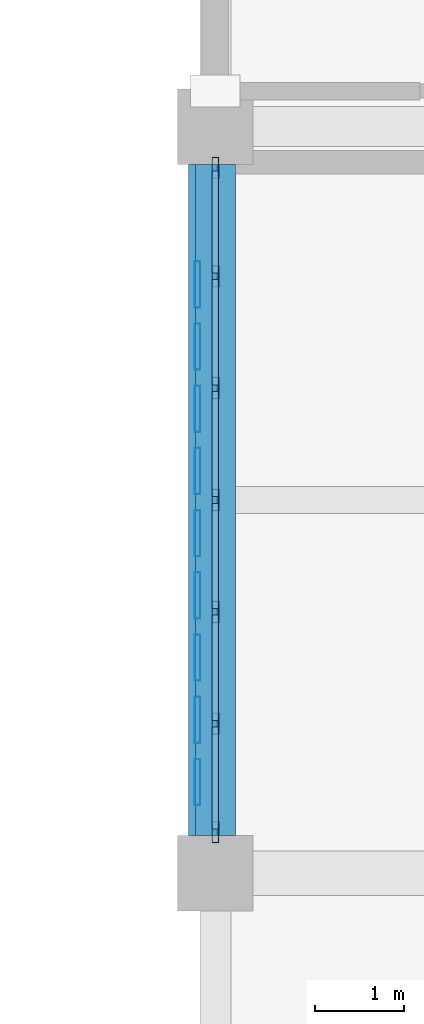
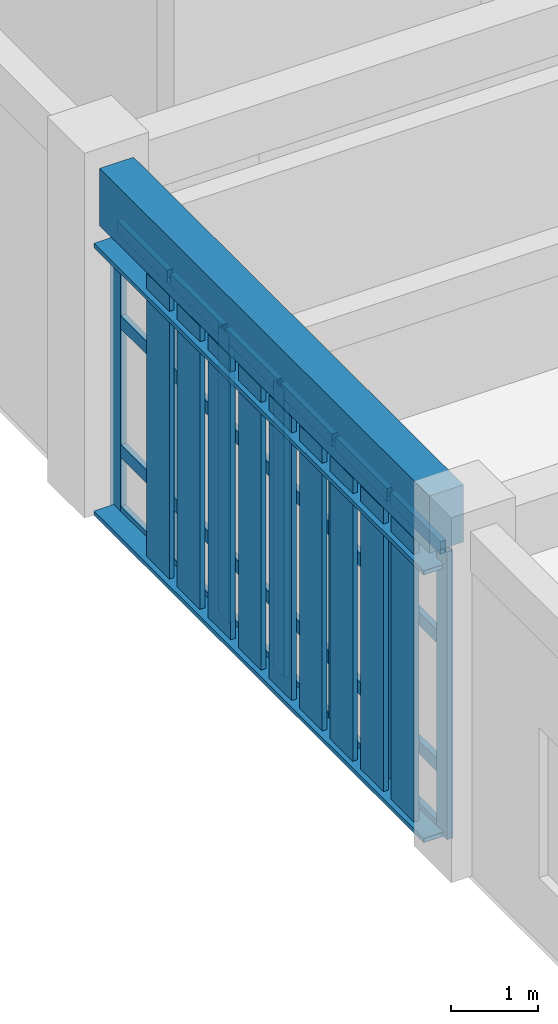
# One storey, part 43 of 106: 42 members, 1 beam, 1 element without a shape of its own.
"""IFC4 building model written with IfcOpenShell, lengths in metres."""

from ifc_helpers import new_model, si_unit, direction, frame, origin, origin_2d, place, context, subcontext, project, spatial, rectangle, hollow_rectangle, extrude, material, layer, layer_set, material_profile, profile_set, type_object, element, aggregate, save


model = new_model("IFC4")

# Units and contexts
model_context = context("Model", 3, precision=1e-05, world=origin(), true_north=direction((0.0, 1.0)))
body_context = subcontext(model_context, "Body", "Model", "MODEL_VIEW")
ifc_project = project(units=[si_unit("LENGTHUNIT", "METRE"), si_unit("AREAUNIT", "SQUARE_METRE"), si_unit("VOLUMEUNIT", "CUBIC_METRE"), si_unit("PLANEANGLEUNIT", "RADIAN"), si_unit("MASSUNIT", "GRAM", prefix="KILO")], contexts=[model_context])

# Site, building, storey
site_placement = place(None, origin())
site = spatial("IfcSite", under=ifc_project, at=site_placement, CompositionType="ELEMENT")
building_placement = place(site_placement, origin())
building = spatial("IfcBuilding", under=site, at=building_placement, Name="Krzemoval Escarpment Law Courts", CompositionType="ELEMENT")
storey_placement = place(building_placement, frame((0.0, 0.0, 5.10009765625)))
storey = spatial("IfcBuildingStorey", under=building, at=storey_placement, Name="L01", CompositionType="ELEMENT", Elevation=5.10009765625)

# Beam
ifc_material_1 = material(Name="Concrete C40/50", Category="concrete")
ifc_material_profile_1 = material_profile(ifc_material_1, rectangle(XDim=0.449951171875, YDim=0.800048828125, at=origin_2d()), Name="RCB 450x800")
ifc_profile_set_1 = profile_set([ifc_material_profile_1], Name="Concrete C40/50")
beam_type = type_object("IfcBeamType", Name="BM-RC-450x800", PredefinedType="BEAM", material=ifc_profile_set_1)
beam_placement = place(storey_placement, frame((126.0, 85.625, 4.419921875), z_axis=(0.0, 1.0, 0.0), x_axis=(-1.0, 0.0, 0.0)))
element("IfcBeam", 1, at=beam_placement, inside=storey, type_object=beam_type, Name="Beam FG-L01-1515", PredefinedType="BEAM", context=body_context, shape_type="SweptSolid", body=[
    extrude(rectangle(XDim=0.449951171875, YDim=0.800048828125, at=origin_2d()), origin(), (0.0, 0.0, 1.0), 7.550048828125),
])

# Curtain wall, members
ifc_material_2 = material(Name="Aluminium 6063-T6", Category="aluminium")
ifc_layer = layer(ifc_material_2, 0.239990234375)
ifc_layer_set = layer_set([ifc_layer], Name="Aluminium 6063-T6")
curtain_wall_type = type_object("IfcCurtainWallType", Name="CW-CHMB-4800", PredefinedType="USERDEFINED", material=ifc_layer_set)
curtain_wall_placement = place(storey_placement, origin())
curtain_wall = element("IfcCurtainWall", 2, at=curtain_wall_placement, inside=storey, type_object=curtain_wall_type, Name="Unitised Curtain Wall FCW-L01-045", ObjectType="UNITISED_CURTAIN_WALL", PredefinedType="USERDEFINED")
ifc_material_3 = material(Name="Aluminium 6063-T6", Category="aluminium")
ifc_material_profile_2 = material_profile(ifc_material_3, hollow_rectangle(XDim=0.074951171875, YDim=0.239990234375, WallThickness=0.0048828125, at=origin_2d()), Name="ALU M75x240")
ifc_profile_set_2 = profile_set([ifc_material_profile_2], Name="Aluminium 6063-T6")
member_type_1 = type_object("IfcMemberType", Name="CWM-75x240", PredefinedType="MULLION", material=ifc_profile_set_2)
member_1_placement = place(storey_placement, frame((126.0, 85.66259765625, 0.0), z_axis=(0.0, 0.0, 1.0), x_axis=(-1.0, 0.0, 0.0)))
member_1 = element("IfcMember", 3, at=member_1_placement, type_object=member_type_1, Name="FCW-L01-045 mullion 1", PredefinedType="MULLION", context=body_context, shape_type="SweptSolid", body=[
    extrude(hollow_rectangle(XDim=0.074951171875, YDim=0.239990234375, WallThickness=0.0048828125, at=origin_2d()), origin(), (0.0, 0.0, 1.0), 4.02001953125),
])
member_2_placement = place(storey_placement, frame((126.0, 86.88330078125, 0.0), z_axis=(0.0, 0.0, 1.0), x_axis=(-1.0, 0.0, 0.0)))
member_2 = element("IfcMember", 4, at=member_2_placement, type_object=member_type_1, Name="FCW-L01-045 mullion 2", PredefinedType="MULLION", context=body_context, shape_type="SweptSolid", body=[
    extrude(hollow_rectangle(XDim=0.074951171875, YDim=0.239990234375, WallThickness=0.0048828125, at=origin_2d()), origin(), (0.0, 0.0, 1.0), 4.02001953125),
])
member_3_placement = place(storey_placement, frame((126.0, 88.1416015625, 0.0), z_axis=(0.0, 0.0, 1.0), x_axis=(-1.0, 0.0, 0.0)))
member_3 = element("IfcMember", 5, at=member_3_placement, type_object=member_type_1, Name="FCW-L01-045 mullion 3", PredefinedType="MULLION", context=body_context, shape_type="SweptSolid", body=[
    extrude(hollow_rectangle(XDim=0.074951171875, YDim=0.239990234375, WallThickness=0.0048828125, at=origin_2d()), origin(), (0.0, 0.0, 1.0), 4.02001953125),
])
member_4_placement = place(storey_placement, frame((126.0, 89.39990234375, 0.0), z_axis=(0.0, 0.0, 1.0), x_axis=(-1.0, 0.0, 0.0)))
member_4 = element("IfcMember", 6, at=member_4_placement, type_object=member_type_1, Name="FCW-L01-045 mullion 4", PredefinedType="MULLION", context=body_context, shape_type="SweptSolid", body=[
    extrude(hollow_rectangle(XDim=0.074951171875, YDim=0.239990234375, WallThickness=0.0048828125, at=origin_2d()), origin(), (0.0, 0.0, 1.0), 4.02001953125),
])
member_5_placement = place(storey_placement, frame((126.0, 90.658447265625, 0.0), z_axis=(0.0, 0.0, 1.0), x_axis=(-1.0, 0.0, 0.0)))
member_5 = element("IfcMember", 7, at=member_5_placement, type_object=member_type_1, Name="FCW-L01-045 mullion 5", PredefinedType="MULLION", context=body_context, shape_type="SweptSolid", body=[
    extrude(hollow_rectangle(XDim=0.074951171875, YDim=0.239990234375, WallThickness=0.0048828125, at=origin_2d()), origin(), (0.0, 0.0, 1.0), 4.02001953125),
])
member_6_placement = place(storey_placement, frame((126.0, 91.916748046875, 0.0), z_axis=(0.0, 0.0, 1.0), x_axis=(-1.0, 0.0, 0.0)))
member_6 = element("IfcMember", 8, at=member_6_placement, type_object=member_type_1, Name="FCW-L01-045 mullion 6", PredefinedType="MULLION", context=body_context, shape_type="SweptSolid", body=[
    extrude(hollow_rectangle(XDim=0.074951171875, YDim=0.239990234375, WallThickness=0.0048828125, at=origin_2d()), origin(), (0.0, 0.0, 1.0), 4.02001953125),
])
member_7_placement = place(storey_placement, frame((126.0, 93.137451171875, 0.0), z_axis=(0.0, 0.0, 1.0), x_axis=(-1.0, 0.0, 0.0)))
member_7 = element("IfcMember", 9, at=member_7_placement, type_object=member_type_1, Name="FCW-L01-045 mullion 7", PredefinedType="MULLION", context=body_context, shape_type="SweptSolid", body=[
    extrude(hollow_rectangle(XDim=0.074951171875, YDim=0.239990234375, WallThickness=0.0048828125, at=origin_2d()), origin(), (0.0, 0.0, 1.0), 4.02001953125),
])
ifc_material_4 = material(Name="Aluminium 6063-T6", Category="aluminium")
ifc_material_profile_3 = material_profile(ifc_material_4, hollow_rectangle(XDim=0.074951171875, YDim=0.179931640625, WallThickness=0.0048828125, at=origin_2d()), Name="ALU T75x180")
ifc_profile_set_3 = profile_set([ifc_material_profile_3], Name="Aluminium 6063-T6")
member_type_2 = type_object("IfcMemberType", Name="CWT-75x180", PredefinedType="USERDEFINED", material=ifc_profile_set_3)
member_8_placement = place(storey_placement, frame((126.0, 85.699951171875, 0.037353515625), z_axis=(0.0, 1.0, 0.0), x_axis=(-1.0, 0.0, 0.0)))
member_8 = element("IfcMember", 10, at=member_8_placement, type_object=member_type_2, Name="FCW-L01-045 transom 1.1", ObjectType="TRANSOM", PredefinedType="USERDEFINED", context=body_context, shape_type="SweptSolid", body=[
    extrude(hollow_rectangle(XDim=0.074951171875, YDim=0.179931640625, WallThickness=0.0048828125, at=origin_2d()), origin(), (0.0, 0.0, 1.0), 1.14599609375),
])
member_9_placement = place(storey_placement, frame((126.0, 85.699951171875, 0.89990234375), z_axis=(0.0, 1.0, 0.0), x_axis=(-1.0, 0.0, 0.0)))
member_9 = element("IfcMember", 11, at=member_9_placement, type_object=member_type_2, Name="FCW-L01-045 transom 1.2", ObjectType="TRANSOM", PredefinedType="USERDEFINED", context=body_context, shape_type="SweptSolid", body=[
    extrude(hollow_rectangle(XDim=0.074951171875, YDim=0.179931640625, WallThickness=0.0048828125, at=origin_2d()), origin(), (0.0, 0.0, 1.0), 1.14599609375),
])
member_10_placement = place(storey_placement, frame((126.0, 85.699951171875, 2.699951171875), z_axis=(0.0, 1.0, 0.0), x_axis=(-1.0, 0.0, 0.0)))
member_10 = element("IfcMember", 12, at=member_10_placement, type_object=member_type_2, Name="FCW-L01-045 transom 1.3", ObjectType="TRANSOM", PredefinedType="USERDEFINED", context=body_context, shape_type="SweptSolid", body=[
    extrude(hollow_rectangle(XDim=0.074951171875, YDim=0.179931640625, WallThickness=0.0048828125, at=origin_2d()), origin(), (0.0, 0.0, 1.0), 1.14599609375),
])
member_11_placement = place(storey_placement, frame((126.0, 85.699951171875, 3.982421875), z_axis=(0.0, 1.0, 0.0), x_axis=(-1.0, 0.0, 0.0)))
member_11 = element("IfcMember", 13, at=member_11_placement, type_object=member_type_2, Name="FCW-L01-045 transom 1.4", ObjectType="TRANSOM", PredefinedType="USERDEFINED", context=body_context, shape_type="SweptSolid", body=[
    extrude(hollow_rectangle(XDim=0.074951171875, YDim=0.179931640625, WallThickness=0.0048828125, at=origin_2d()), origin(), (0.0, 0.0, 1.0), 1.14599609375),
])
member_12_placement = place(storey_placement, frame((126.0, 86.9208984375, 0.037353515625), z_axis=(0.0, 1.0, 0.0), x_axis=(-1.0, 0.0, 0.0)))
member_12 = element("IfcMember", 14, at=member_12_placement, type_object=member_type_2, Name="FCW-L01-045 transom 2.1", ObjectType="TRANSOM", PredefinedType="USERDEFINED", context=body_context, shape_type="SweptSolid", body=[
    extrude(hollow_rectangle(XDim=0.074951171875, YDim=0.179931640625, WallThickness=0.0048828125, at=origin_2d()), origin(), (0.0, 0.0, 1.0), 1.183349609375),
])
member_13_placement = place(storey_placement, frame((126.0, 86.9208984375, 0.89990234375), z_axis=(0.0, 1.0, 0.0), x_axis=(-1.0, 0.0, 0.0)))
member_13 = element("IfcMember", 15, at=member_13_placement, type_object=member_type_2, Name="FCW-L01-045 transom 2.2", ObjectType="TRANSOM", PredefinedType="USERDEFINED", context=body_context, shape_type="SweptSolid", body=[
    extrude(hollow_rectangle(XDim=0.074951171875, YDim=0.179931640625, WallThickness=0.0048828125, at=origin_2d()), origin(), (0.0, 0.0, 1.0), 1.183349609375),
])
member_14_placement = place(storey_placement, frame((126.0, 86.9208984375, 2.699951171875), z_axis=(0.0, 1.0, 0.0), x_axis=(-1.0, 0.0, 0.0)))
member_14 = element("IfcMember", 16, at=member_14_placement, type_object=member_type_2, Name="FCW-L01-045 transom 2.3", ObjectType="TRANSOM", PredefinedType="USERDEFINED", context=body_context, shape_type="SweptSolid", body=[
    extrude(hollow_rectangle(XDim=0.074951171875, YDim=0.179931640625, WallThickness=0.0048828125, at=origin_2d()), origin(), (0.0, 0.0, 1.0), 1.183349609375),
])
member_15_placement = place(storey_placement, frame((126.0, 86.9208984375, 3.982421875), z_axis=(0.0, 1.0, 0.0), x_axis=(-1.0, 0.0, 0.0)))
member_15 = element("IfcMember", 17, at=member_15_placement, type_object=member_type_2, Name="FCW-L01-045 transom 2.4", ObjectType="TRANSOM", PredefinedType="USERDEFINED", context=body_context, shape_type="SweptSolid", body=[
    extrude(hollow_rectangle(XDim=0.074951171875, YDim=0.179931640625, WallThickness=0.0048828125, at=origin_2d()), origin(), (0.0, 0.0, 1.0), 1.183349609375),
])
member_16_placement = place(storey_placement, frame((126.0, 88.17919921875, 0.037353515625), z_axis=(0.0, 1.0, 0.0), x_axis=(-1.0, 0.0, 0.0)))
member_16 = element("IfcMember", 18, at=member_16_placement, type_object=member_type_2, Name="FCW-L01-045 transom 3.1", ObjectType="TRANSOM", PredefinedType="USERDEFINED", context=body_context, shape_type="SweptSolid", body=[
    extrude(hollow_rectangle(XDim=0.074951171875, YDim=0.179931640625, WallThickness=0.0048828125, at=origin_2d()), origin(), (0.0, 0.0, 1.0), 1.183349609375),
])
member_17_placement = place(storey_placement, frame((126.0, 88.17919921875, 0.89990234375), z_axis=(0.0, 1.0, 0.0), x_axis=(-1.0, 0.0, 0.0)))
member_17 = element("IfcMember", 19, at=member_17_placement, type_object=member_type_2, Name="FCW-L01-045 transom 3.2", ObjectType="TRANSOM", PredefinedType="USERDEFINED", context=body_context, shape_type="SweptSolid", body=[
    extrude(hollow_rectangle(XDim=0.074951171875, YDim=0.179931640625, WallThickness=0.0048828125, at=origin_2d()), origin(), (0.0, 0.0, 1.0), 1.183349609375),
])
member_18_placement = place(storey_placement, frame((126.0, 88.17919921875, 2.699951171875), z_axis=(0.0, 1.0, 0.0), x_axis=(-1.0, 0.0, 0.0)))
member_18 = element("IfcMember", 20, at=member_18_placement, type_object=member_type_2, Name="FCW-L01-045 transom 3.3", ObjectType="TRANSOM", PredefinedType="USERDEFINED", context=body_context, shape_type="SweptSolid", body=[
    extrude(hollow_rectangle(XDim=0.074951171875, YDim=0.179931640625, WallThickness=0.0048828125, at=origin_2d()), origin(), (0.0, 0.0, 1.0), 1.183349609375),
])
member_19_placement = place(storey_placement, frame((126.0, 88.17919921875, 3.982421875), z_axis=(0.0, 1.0, 0.0), x_axis=(-1.0, 0.0, 0.0)))
member_19 = element("IfcMember", 21, at=member_19_placement, type_object=member_type_2, Name="FCW-L01-045 transom 3.4", ObjectType="TRANSOM", PredefinedType="USERDEFINED", context=body_context, shape_type="SweptSolid", body=[
    extrude(hollow_rectangle(XDim=0.074951171875, YDim=0.179931640625, WallThickness=0.0048828125, at=origin_2d()), origin(), (0.0, 0.0, 1.0), 1.183349609375),
])
member_20_placement = place(storey_placement, frame((126.0, 89.4375, 0.037353515625), z_axis=(0.0, 1.0, 0.0), x_axis=(-1.0, 0.0, 0.0)))
member_20 = element("IfcMember", 22, at=member_20_placement, type_object=member_type_2, Name="FCW-L01-045 transom 4.1", ObjectType="TRANSOM", PredefinedType="USERDEFINED", context=body_context, shape_type="SweptSolid", body=[
    extrude(hollow_rectangle(XDim=0.074951171875, YDim=0.179931640625, WallThickness=0.0048828125, at=origin_2d()), origin(), (0.0, 0.0, 1.0), 1.183349609375),
])
member_21_placement = place(storey_placement, frame((126.0, 89.4375, 0.89990234375), z_axis=(0.0, 1.0, 0.0), x_axis=(-1.0, 0.0, 0.0)))
member_21 = element("IfcMember", 23, at=member_21_placement, type_object=member_type_2, Name="FCW-L01-045 transom 4.2", ObjectType="TRANSOM", PredefinedType="USERDEFINED", context=body_context, shape_type="SweptSolid", body=[
    extrude(hollow_rectangle(XDim=0.074951171875, YDim=0.179931640625, WallThickness=0.0048828125, at=origin_2d()), origin(), (0.0, 0.0, 1.0), 1.183349609375),
])
member_22_placement = place(storey_placement, frame((126.0, 89.4375, 2.699951171875), z_axis=(0.0, 1.0, 0.0), x_axis=(-1.0, 0.0, 0.0)))
member_22 = element("IfcMember", 24, at=member_22_placement, type_object=member_type_2, Name="FCW-L01-045 transom 4.3", ObjectType="TRANSOM", PredefinedType="USERDEFINED", context=body_context, shape_type="SweptSolid", body=[
    extrude(hollow_rectangle(XDim=0.074951171875, YDim=0.179931640625, WallThickness=0.0048828125, at=origin_2d()), origin(), (0.0, 0.0, 1.0), 1.183349609375),
])
member_23_placement = place(storey_placement, frame((126.0, 89.4375, 3.982421875), z_axis=(0.0, 1.0, 0.0), x_axis=(-1.0, 0.0, 0.0)))
member_23 = element("IfcMember", 25, at=member_23_placement, type_object=member_type_2, Name="FCW-L01-045 transom 4.4", ObjectType="TRANSOM", PredefinedType="USERDEFINED", context=body_context, shape_type="SweptSolid", body=[
    extrude(hollow_rectangle(XDim=0.074951171875, YDim=0.179931640625, WallThickness=0.0048828125, at=origin_2d()), origin(), (0.0, 0.0, 1.0), 1.183349609375),
])
member_24_placement = place(storey_placement, frame((126.0, 90.69580078125, 0.037353515625), z_axis=(0.0, 1.0, 0.0), x_axis=(-1.0, 0.0, 0.0)))
member_24 = element("IfcMember", 26, at=member_24_placement, type_object=member_type_2, Name="FCW-L01-045 transom 5.1", ObjectType="TRANSOM", PredefinedType="USERDEFINED", context=body_context, shape_type="SweptSolid", body=[
    extrude(hollow_rectangle(XDim=0.074951171875, YDim=0.179931640625, WallThickness=0.0048828125, at=origin_2d()), origin(), (0.0, 0.0, 1.0), 1.183349609375),
])
member_25_placement = place(storey_placement, frame((126.0, 90.69580078125, 0.89990234375), z_axis=(0.0, 1.0, 0.0), x_axis=(-1.0, 0.0, 0.0)))
member_25 = element("IfcMember", 27, at=member_25_placement, type_object=member_type_2, Name="FCW-L01-045 transom 5.2", ObjectType="TRANSOM", PredefinedType="USERDEFINED", context=body_context, shape_type="SweptSolid", body=[
    extrude(hollow_rectangle(XDim=0.074951171875, YDim=0.179931640625, WallThickness=0.0048828125, at=origin_2d()), origin(), (0.0, 0.0, 1.0), 1.183349609375),
])
member_26_placement = place(storey_placement, frame((126.0, 90.69580078125, 2.699951171875), z_axis=(0.0, 1.0, 0.0), x_axis=(-1.0, 0.0, 0.0)))
member_26 = element("IfcMember", 28, at=member_26_placement, type_object=member_type_2, Name="FCW-L01-045 transom 5.3", ObjectType="TRANSOM", PredefinedType="USERDEFINED", context=body_context, shape_type="SweptSolid", body=[
    extrude(hollow_rectangle(XDim=0.074951171875, YDim=0.179931640625, WallThickness=0.0048828125, at=origin_2d()), origin(), (0.0, 0.0, 1.0), 1.183349609375),
])
member_27_placement = place(storey_placement, frame((126.0, 90.69580078125, 3.982421875), z_axis=(0.0, 1.0, 0.0), x_axis=(-1.0, 0.0, 0.0)))
member_27 = element("IfcMember", 29, at=member_27_placement, type_object=member_type_2, Name="FCW-L01-045 transom 5.4", ObjectType="TRANSOM", PredefinedType="USERDEFINED", context=body_context, shape_type="SweptSolid", body=[
    extrude(hollow_rectangle(XDim=0.074951171875, YDim=0.179931640625, WallThickness=0.0048828125, at=origin_2d()), origin(), (0.0, 0.0, 1.0), 1.183349609375),
])
member_28_placement = place(storey_placement, frame((126.0, 91.9541015625, 0.037353515625), z_axis=(0.0, 1.0, 0.0), x_axis=(-1.0, 0.0, 0.0)))
member_28 = element("IfcMember", 30, at=member_28_placement, type_object=member_type_2, Name="FCW-L01-045 transom 6.1", ObjectType="TRANSOM", PredefinedType="USERDEFINED", context=body_context, shape_type="SweptSolid", body=[
    extrude(hollow_rectangle(XDim=0.074951171875, YDim=0.179931640625, WallThickness=0.0048828125, at=origin_2d()), origin(), (0.0, 0.0, 1.0), 1.14599609375),
])
member_29_placement = place(storey_placement, frame((126.0, 91.9541015625, 0.89990234375), z_axis=(0.0, 1.0, 0.0), x_axis=(-1.0, 0.0, 0.0)))
member_29 = element("IfcMember", 31, at=member_29_placement, type_object=member_type_2, Name="FCW-L01-045 transom 6.2", ObjectType="TRANSOM", PredefinedType="USERDEFINED", context=body_context, shape_type="SweptSolid", body=[
    extrude(hollow_rectangle(XDim=0.074951171875, YDim=0.179931640625, WallThickness=0.0048828125, at=origin_2d()), origin(), (0.0, 0.0, 1.0), 1.14599609375),
])
member_30_placement = place(storey_placement, frame((126.0, 91.9541015625, 2.699951171875), z_axis=(0.0, 1.0, 0.0), x_axis=(-1.0, 0.0, 0.0)))
member_30 = element("IfcMember", 32, at=member_30_placement, type_object=member_type_2, Name="FCW-L01-045 transom 6.3", ObjectType="TRANSOM", PredefinedType="USERDEFINED", context=body_context, shape_type="SweptSolid", body=[
    extrude(hollow_rectangle(XDim=0.074951171875, YDim=0.179931640625, WallThickness=0.0048828125, at=origin_2d()), origin(), (0.0, 0.0, 1.0), 1.14599609375),
])
member_31_placement = place(storey_placement, frame((126.0, 91.9541015625, 3.982421875), z_axis=(0.0, 1.0, 0.0), x_axis=(-1.0, 0.0, 0.0)))
member_31 = element("IfcMember", 33, at=member_31_placement, type_object=member_type_2, Name="FCW-L01-045 transom 6.4", ObjectType="TRANSOM", PredefinedType="USERDEFINED", context=body_context, shape_type="SweptSolid", body=[
    extrude(hollow_rectangle(XDim=0.074951171875, YDim=0.179931640625, WallThickness=0.0048828125, at=origin_2d()), origin(), (0.0, 0.0, 1.0), 1.14599609375),
])
aggregate(curtain_wall, [member_1, member_2, member_3, member_4, member_5, member_6, member_7, member_8, member_9, member_10, member_11, member_12, member_13, member_14, member_15, member_16, member_17, member_18, member_19, member_20, member_21, member_22, member_23, member_24, member_25, member_26, member_27, member_28, member_29, member_30, member_31])

# Members
ifc_material_5 = material(Name="Anodised Aluminium Alloy 6063-T6", Category="aluminium")
ifc_material_profile_4 = material_profile(ifc_material_5, hollow_rectangle(XDim=0.06005859375, YDim=0.320068359375, WallThickness=0.00390625, at=origin_2d()), Name="ALU LVR 60x320")
ifc_profile_set_4 = profile_set([ifc_material_profile_4], Name="Anodised Aluminium Alloy 6063-T6")
member_type_3 = type_object("IfcMemberType", Name="LVR-ALU-320", PredefinedType="USERDEFINED", material=ifc_profile_set_4)
for number, where, z_axis, x_axis, name in (
    (34, (125.860107421875, 85.625, 0.02978515625), (0.0, 1.0, 0.0), (0.0, 0.0, 1.0), "Sunshade Support Rail FSR-L01-0169"),
    (35, (125.860107421875, 85.625, 3.77001953125), (0.0, 1.0, 0.0), (0.0, 0.0, 1.0), "Sunshade Support Rail FSR-L01-0170"),
):
    element("IfcMember", number, at=place(storey_placement, frame(where, z_axis=z_axis, x_axis=x_axis)), inside=storey, type_object=member_type_3, Name=name, ObjectType="SUNSHADE_LOUVRE", PredefinedType="USERDEFINED", context=body_context, shape_type="SweptSolid", body=[
        extrude(hollow_rectangle(XDim=0.06005859375, YDim=0.320068359375, WallThickness=0.00390625, at=origin_2d()), origin(), (0.0, 0.0, 1.0), 7.550048828125),
    ])
ifc_material_6 = material(Name="Anodised Aluminium Alloy 6063-T6", Category="aluminium")
ifc_material_profile_5 = material_profile(ifc_material_6, hollow_rectangle(XDim=0.06494140625, YDim=0.52001953125, WallThickness=0.00439453125, at=origin_2d()), Name="ALU LVR 65x520")
ifc_profile_set_5 = profile_set([ifc_material_profile_5], Name="Anodised Aluminium Alloy 6063-T6")
member_type_4 = type_object("IfcMemberType", Name="LVR-ALU-520", PredefinedType="USERDEFINED", material=ifc_profile_set_5)
for number, where, z_axis, x_axis, name in (
    (36, (125.800048828125, 86.22509765625, 0.059814453125), (0.0, 0.0, 1.0), (1.0, 0.0, 0.0), "Sunshade Louvre Fin FLV-L01-0171"),
    (37, (125.800048828125, 86.925048828125, 0.059814453125), (0.0, 0.0, 1.0), (1.0, 0.0, 0.0), "Sunshade Louvre Fin FLV-L01-0172"),
    (38, (125.800048828125, 87.625, 0.059814453125), (0.0, 0.0, 1.0), (1.0, 0.0, 0.0), "Sunshade Louvre Fin FLV-L01-0173"),
    (39, (125.800048828125, 88.324951171875, 0.059814453125), (0.0, 0.0, 1.0), (1.0, 0.0, 0.0), "Sunshade Louvre Fin FLV-L01-0174"),
    (40, (125.800048828125, 89.02490234375, 0.059814453125), (0.0, 0.0, 1.0), (1.0, 0.0, 0.0), "Sunshade Louvre Fin FLV-L01-0175"),
    (41, (125.800048828125, 89.72509765625, 0.059814453125), (0.0, 0.0, 1.0), (1.0, 0.0, 0.0), "Sunshade Louvre Fin FLV-L01-0176"),
    (42, (125.800048828125, 90.425048828125, 0.059814453125), (0.0, 0.0, 1.0), (1.0, 0.0, 0.0), "Sunshade Louvre Fin FLV-L01-0177"),
    (43, (125.800048828125, 91.125, 0.059814453125), (0.0, 0.0, 1.0), (1.0, 0.0, 0.0), "Sunshade Louvre Fin FLV-L01-0178"),
    (44, (125.800048828125, 91.824951171875, 0.059814453125), (0.0, 0.0, 1.0), (1.0, 0.0, 0.0), "Sunshade Louvre Fin FLV-L01-0179"),
):
    element("IfcMember", number, at=place(storey_placement, frame(where, z_axis=z_axis, x_axis=x_axis)), inside=storey, type_object=member_type_4, Name=name, ObjectType="SUNSHADE_LOUVRE", PredefinedType="USERDEFINED", context=body_context, shape_type="SweptSolid", body=[
        extrude(hollow_rectangle(XDim=0.06494140625, YDim=0.52001953125, WallThickness=0.00439453125, at=origin_2d()), origin(), (0.0, 0.0, 1.0), 3.960205078125),
    ])

save(model, "model.ifc")
